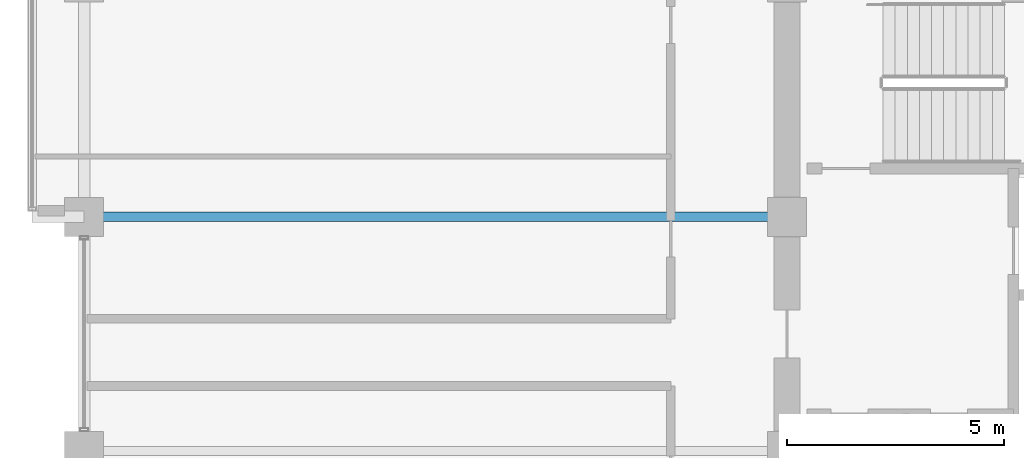
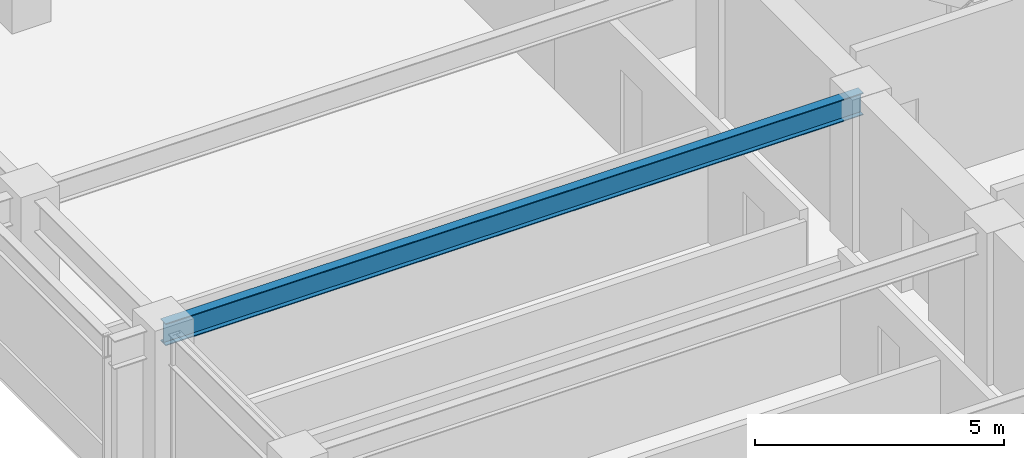
# One storey, part 11 of 32: 1 beam.
"""IFC4 building model written with IfcOpenShell, lengths in metres."""

from ifc_helpers import new_model, si_unit, direction, frame, origin, origin_2d, place, context, subcontext, project, spatial, i_section, extrude, material, material_profile, profile_set, type_object, element, save


model = new_model("IFC4")

# Units and contexts
model_context = context("Model", 3, precision=1e-05, world=origin(), true_north=direction((0.0, 1.0)))
body_context = subcontext(model_context, "Body", "Model", "MODEL_VIEW")
ifc_project = project(units=[si_unit("LENGTHUNIT", "METRE"), si_unit("AREAUNIT", "SQUARE_METRE"), si_unit("VOLUMEUNIT", "CUBIC_METRE"), si_unit("PLANEANGLEUNIT", "RADIAN"), si_unit("MASSUNIT", "GRAM", prefix="KILO")], contexts=[model_context])

# Site, building, storey
site_placement = place(None, origin())
site = spatial("IfcSite", under=ifc_project, at=site_placement, CompositionType="ELEMENT")
building_placement = place(site_placement, origin())
building = spatial("IfcBuilding", under=site, at=building_placement, Name="Surkhivell Harbour Commons", CompositionType="ELEMENT")
storey_placement = place(building_placement, frame((0.0, 0.0, 189.75)))
storey = spatial("IfcBuildingStorey", under=building, at=storey_placement, Name="L49", CompositionType="ELEMENT", Elevation=189.75)

# Beam
ifc_material = material(Name="Steel S355", Category="steel")
ifc_material_profile = material_profile(ifc_material, i_section(OverallWidth=0.2119140625, OverallDepth=0.5439453125, WebThickness=0.0126953125, FlangeThickness=0.021240234375, at=origin_2d()), Name="UB533x210x122")
ifc_profile_set = profile_set([ifc_material_profile], Name="Steel S355")
beam_type = type_object("IfcBeamType", Name="BM-GRD-533A", PredefinedType="BEAM", material=ifc_profile_set)
beam_placement = place(storey_placement, frame((-27.0, 5.39990234375, 3.298095703125), z_axis=(1.0, 0.0, 0.0), x_axis=(0.0, 1.0, 0.0)))
element("IfcBeam", 1, at=beam_placement, inside=storey, type_object=beam_type, Name="L49 Floor Girder (-27.0,5.4)", PredefinedType="BEAM", context=body_context, shape_type="SweptSolid", body=[
    extrude(i_section(OverallWidth=0.2119140625, OverallDepth=0.5439453125, WebThickness=0.0126953125, FlangeThickness=0.021240234375, at=origin_2d()), origin(), (0.0, 0.0, 1.0), 16.199951171875),
])

save(model, "model.ifc")
